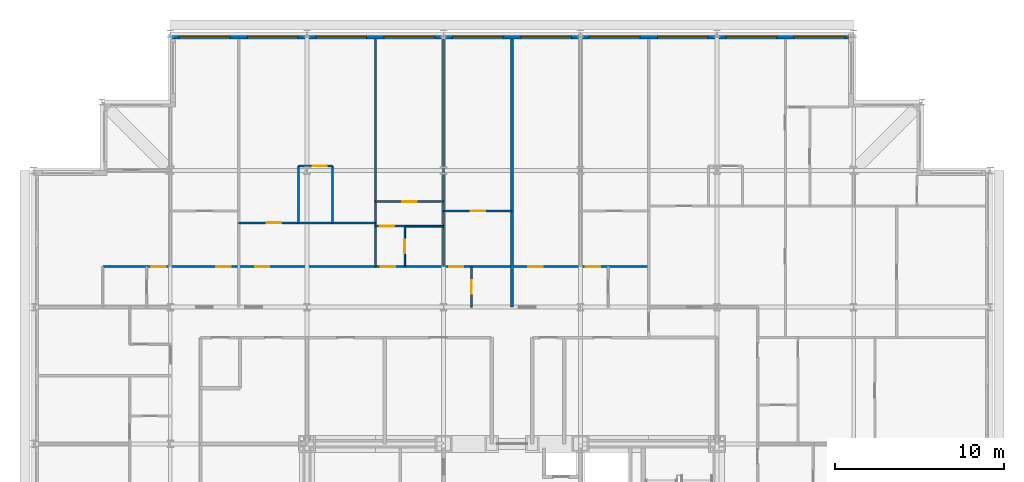
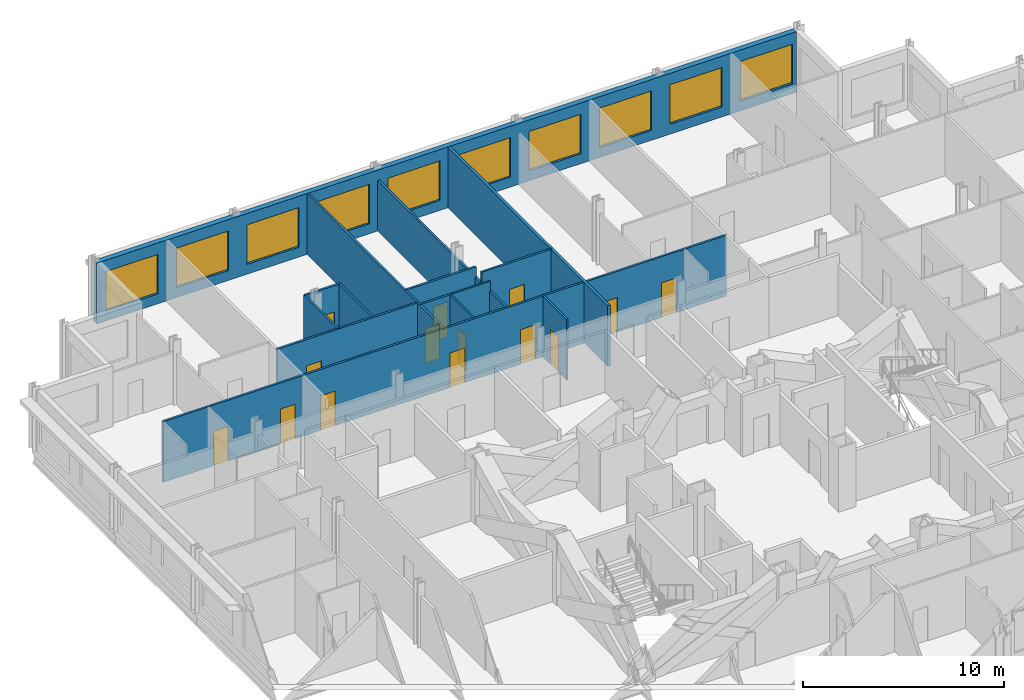
# One storey, part 13 of 16: 15 walls, 14 doors, 10 windows, 24 openings.
"""IFC4 building model written with IfcOpenShell, lengths in metres."""

import ifcopenshell
import ifcopenshell.guid

model = None  # the IFC model being written
_history = None  # IfcOwnerHistory: only IFC2X3 demands one
_inside = {}  # id of a spatial element -> (the spatial element, [elements in it])
_under = {}  # id of a project, library or spatial element -> (it, [spatial elements below it])
_declared = {}  # id of a project -> (the project, [libraries it declares])
_typed = {}  # id of a type object -> (the type object, [elements of that type])
_made_of = {}  # id of a material, layer set ... -> (it, [elements and type objects made of it])


def new_model(schema):
    """Start an empty IFC model of exactly this schema.

    Asked for "IFC4X3", IfcOpenShell would pick the latest addendum, in which some entities
    have other attributes; the version numbers below select the first issue.
    IFC2X3 requires an IfcOwnerHistory on every rooted entity: one is made here for all.
    """
    global model, _history
    if schema == "IFC4X3":
        model = ifcopenshell.file(schema_version=(4, 3, 0, 0))
    else:
        model = ifcopenshell.file(schema=schema)
    _inside.clear()
    _under.clear()
    _declared.clear()
    _typed.clear()
    _made_of.clear()
    _history = None
    if model.schema == "IFC2X3":
        org = make("IfcOrganization", Name="unknown")
        user = make(
            "IfcPersonAndOrganization",
            ThePerson=make("IfcPerson", FamilyName="unknown"),
            TheOrganization=org,
        )
        app = make(
            "IfcApplication",
            ApplicationDeveloper=org,
            Version="unknown",
            ApplicationFullName="unknown",
            ApplicationIdentifier="unknown",
        )
        _history = make(
            "IfcOwnerHistory",
            OwningUser=user,
            OwningApplication=app,
            ChangeAction="ADDED",
            CreationDate=0,
        )
    return model


def make(cls, **values):
    """One entity of the class cls with the attributes given. An attribute that is None is left unset."""
    return model.create_entity(
        cls, **{name: value for name, value in values.items() if value is not None}
    )


def rooted(cls, **values):
    """An entity with a GlobalId (a new one), such as an element, a storey or a relation."""
    return make(cls, GlobalId=ifcopenshell.guid.new(), OwnerHistory=_history, **values)


def si_unit(unit_type, name, prefix=None):
    """IfcSIUnit, for example si_unit("LENGTHUNIT", "METRE", prefix="MILLI")."""
    return make("IfcSIUnit", UnitType=unit_type, Prefix=prefix, Name=name)


def assignment(units):
    """IfcUnitAssignment: the units of a project."""
    return None if units is None else make("IfcUnitAssignment", Units=units)


def point(xyz):
    """IfcCartesianPoint."""
    return None if xyz is None else make("IfcCartesianPoint", Coordinates=xyz)


def direction(xyz):
    """IfcDirection."""
    return None if xyz is None else make("IfcDirection", DirectionRatios=xyz)


def frame(location, z_axis=None, x_axis=None):
    """IfcAxis2Placement3D, a coordinate frame: its origin and axes. An axis left out is left unset."""
    return make(
        "IfcAxis2Placement3D",
        Location=point(location),
        Axis=direction(z_axis),
        RefDirection=direction(x_axis),
    )


def frame_2d(location, x_axis=None):
    """IfcAxis2Placement2D, a coordinate frame in the plane: its origin and x axis."""
    return make(
        "IfcAxis2Placement2D", Location=point(location), RefDirection=direction(x_axis)
    )


def origin():
    """The frame at (0, 0, 0) with its axes left unset."""
    return frame((0.0, 0.0, 0.0))


def place(relative_to, where):
    """IfcLocalPlacement: puts the frame where relative to a parent placement (None: the world)."""
    return make(
        "IfcLocalPlacement", PlacementRelTo=relative_to, RelativePlacement=where
    )


def context(
    kind, dimensions, precision=None, world=None, true_north=None, identifier=None
):
    """IfcGeometricRepresentationContext, for example the 3D "Model" context."""
    return make(
        "IfcGeometricRepresentationContext",
        ContextIdentifier=identifier,
        ContextType=kind,
        CoordinateSpaceDimension=dimensions,
        Precision=precision,
        WorldCoordinateSystem=world,
        TrueNorth=true_north,
    )


def subcontext(parent, identifier, kind, view, scale=None):
    """IfcGeometricRepresentationSubContext, for example "Body" below "Model"."""
    return make(
        "IfcGeometricRepresentationSubContext",
        ContextIdentifier=identifier,
        ContextType=kind,
        ParentContext=parent,
        TargetScale=scale,
        TargetView=view,
    )


def project(units=None, contexts=None):
    """IfcProject with its units and contexts."""
    return rooted(
        "IfcProject",
        Name="project",
        RepresentationContexts=contexts,
        UnitsInContext=assignment(units),
    )


def spatial(cls, under=None, at=None, **own):
    """A site, building, storey or space (cls), placed at a placement, below another one or the project."""
    s = rooted(cls, ObjectPlacement=at, **own)
    if under is not None:
        _under.setdefault(under.id(), (under, []))[1].append(s)
    return s


def profile(cls, at=None, kind="AREA", **sizes):
    """A parametric profile (cls). Its sizes go by their IFC names, for example OverallWidth=200.0."""
    return make(cls, ProfileType=kind, Position=at, **sizes)


def rectangle(**sizes):
    """IfcRectangleProfileDef."""
    return profile("IfcRectangleProfileDef", **sizes)


def extrude(swept, where, along, depth):
    """IfcExtrudedAreaSolid: the profile swept, set in the frame where, extruded along a direction by depth."""
    return make(
        "IfcExtrudedAreaSolid",
        SweptArea=swept,
        Position=where,
        ExtrudedDirection=direction(along),
        Depth=depth,
    )


def shape(context_of_items, identifier, shape_type, items):
    """IfcShapeRepresentation: the items that make up one representation, for example the "Body"."""
    return make(
        "IfcShapeRepresentation",
        ContextOfItems=context_of_items,
        RepresentationIdentifier=identifier,
        RepresentationType=shape_type,
        Items=items,
    )


def material(Name=None, Category=None):
    """IfcMaterial."""
    return make("IfcMaterial", Name=Name, Category=Category)


def layer(
    of_material, thickness, ventilated=None, Name=None, Category=None, Priority=None
):
    """IfcMaterialLayer: one layer of a wall or slab, of a material (None: an air gap)."""
    return make(
        "IfcMaterialLayer",
        Material=of_material,
        LayerThickness=thickness,
        IsVentilated=ventilated,
        Name=Name,
        Category=Category,
        Priority=Priority,
    )


def layer_set(layers, Name=None):
    """IfcMaterialLayerSet."""
    return make("IfcMaterialLayerSet", MaterialLayers=layers, LayerSetName=Name)


def made_of(thing, what):
    """Note that an element or type object is made of a material, layer set ...; save() writes the relation."""
    if what is not None:
        _made_of.setdefault(what.id(), (what, []))[1].append(thing)
    return thing


def type_object(cls, material=None, **own):
    """A type object (cls), such as IfcWallType, which elements share."""
    return made_of(rooted(cls, **own), material)


def element(
    cls,
    number,
    at=None,
    inside=None,
    cuts=None,
    type_object=None,
    material=None,
    context=None,
    identifier="Body",
    shape_type=None,
    held_by="IfcProductDefinitionShape",
    body=None,
    shapes=None,
    **own,
):
    """One element of the class cls, such as IfcWall. Its Tag is "e" and its number.

    at: its placement. inside: the storey or other place that contains it. cuts: it is an
    opening in that element (IfcRelVoidsElement). A single representation is given by context,
    identifier, shape_type and body (its items); several are given by shapes. held_by: the class
    of the entity that holds the representations. save() writes the other relations.
    """
    e = rooted(cls, Tag="e%d" % number, ObjectPlacement=at, **own)
    if body is not None:
        shapes = [shape(context, identifier, shape_type, body)]
    if shapes is not None:
        e.Representation = make(held_by, Representations=shapes)
    if inside is not None:
        _inside.setdefault(inside.id(), (inside, []))[1].append(e)
    if cuts is not None:
        rooted(
            "IfcRelVoidsElement", RelatingBuildingElement=cuts, RelatedOpeningElement=e
        )
    if type_object is not None:
        _typed.setdefault(type_object.id(), (type_object, []))[1].append(e)
    return made_of(e, material)


def fill(opening, filler):
    """IfcRelFillsElement: the door or window that sits in an opening."""
    return rooted(
        "IfcRelFillsElement",
        RelatingOpeningElement=opening,
        RelatedBuildingElement=filler,
    )


def aggregate(whole, parts):
    """IfcRelAggregates: a whole, such as a stair, and the parts it consists of."""
    return rooted("IfcRelAggregates", RelatingObject=whole, RelatedObjects=parts)


def save(model, path):
    """Write the relations noted so far, then the file.

    IfcRelAggregates (storeys below a building ...), IfcRelContainedInSpatialStructure (elements
    in a storey), IfcRelDefinesByType, IfcRelAssociatesMaterial and IfcRelDeclares: one each for
    every whole, place, type object, material and project.
    """
    for whole, parts in _under.values():
        aggregate(whole, parts)
    for where, things in _inside.values():
        rooted(
            "IfcRelContainedInSpatialStructure",
            RelatedElements=things,
            RelatingStructure=where,
        )
    for kind, things in _typed.values():
        rooted("IfcRelDefinesByType", RelatedObjects=things, RelatingType=kind)
    for what, things in _made_of.values():
        rooted("IfcRelAssociatesMaterial", RelatedObjects=things, RelatingMaterial=what)
    for by, libraries in _declared.values():
        rooted("IfcRelDeclares", RelatingContext=by, RelatedDefinitions=libraries)
    model.write(path)


model = new_model("IFC4")

# Units and contexts
model_context = context("Model", 3, precision=1e-05, world=origin(), true_north=direction((0.0, 1.0)))
body_context = subcontext(model_context, "Body", "Model", "MODEL_VIEW")
ifc_project = project(units=[si_unit("LENGTHUNIT", "METRE"), si_unit("AREAUNIT", "SQUARE_METRE"), si_unit("VOLUMEUNIT", "CUBIC_METRE"), si_unit("PLANEANGLEUNIT", "RADIAN"), si_unit("MASSUNIT", "GRAM", prefix="KILO")], contexts=[model_context])

# Site, building, storey
site_placement = place(None, origin())
site = spatial("IfcSite", under=ifc_project, at=site_placement, CompositionType="ELEMENT")
building_placement = place(site_placement, origin())
building = spatial("IfcBuilding", under=site, at=building_placement, Name="Kopane Lantern Tower", CompositionType="ELEMENT")
storey_placement = place(building_placement, frame((0.0, 0.0, 261.89990234375)))
storey = spatial("IfcBuildingStorey", under=building, at=storey_placement, Name="L67", CompositionType="ELEMENT", Elevation=261.89990234375)

# Walls
ifc_material_1 = material(Name="Gypsum board on steel studs", Category="steel")
ifc_layer_1 = layer(ifc_material_1, 0.1201171875)
ifc_layer_set_1 = layer_set([ifc_layer_1], Name="APARTMENT INTERNAL WALL 120")
wall_type_1 = type_object("IfcWallType", Name="APARTMENT INTERNAL WALL 120", PredefinedType="PARTITIONING", material=ifc_layer_set_1)
wall_1_placement = place(storey_placement, frame((20.25, 51.0, 0.0), z_axis=(0.0, 0.0, 1.0), x_axis=(0.0, 1.0, 0.0)))
element("IfcWall", 1, at=wall_1_placement, inside=storey, type_object=wall_type_1, Name="Apartment Internal Wall 120 L67", PredefinedType="PARTITIONING", context=body_context, shape_type="SweptSolid", body=[
    extrude(rectangle(XDim=13.5, YDim=0.1201171875, at=frame_2d((6.75, 0.0))), origin(), (0.0, 0.0, 1.0), 3.690185546875),
])
wall_2_placement = place(storey_placement, frame((24.300048828125, 51.0, 0.0), z_axis=(0.0, 0.0, 1.0), x_axis=(0.0, 1.0, 0.0)))
element("IfcWall", 2, at=wall_2_placement, inside=storey, type_object=wall_type_1, Name="Apartment Internal Wall 120 L67", PredefinedType="PARTITIONING", context=body_context, shape_type="SweptSolid", body=[
    extrude(rectangle(XDim=13.5, YDim=0.1201171875, at=frame_2d((6.75, 0.0))), origin(), (0.0, 0.0, 1.0), 3.077880859375),
])

# Wall, openings, doors
wall_3_placement = place(storey_placement, frame((4.10009765625, 51.0, 0.0), z_axis=(0.0, 0.0, 1.0), x_axis=(1.0, 0.0, 0.0)))
wall_3 = element("IfcWall", 3, at=wall_3_placement, inside=storey, type_object=wall_type_1, Name="Apartment Internal Wall 120 L67", PredefinedType="PARTITIONING", context=body_context, shape_type="SweptSolid", body=[
    extrude(rectangle(XDim=32.349853515625, YDim=0.1201171875, at=frame_2d((16.1748046875, 0.0))), origin(), (0.0, 0.0, 1.0), 3.690185546875),
])
opening_1_placement = place(wall_3_placement, frame((9.02490234375, 0.0, 0.0)))
opening_1 = element("IfcOpeningElement", 4, at=opening_1_placement, cuts=wall_3, Name="Opening L67-023", PredefinedType="OPENING", context=body_context, shape_type="SweptSolid", body=[
    extrude(rectangle(XDim=0.85009765625, YDim=2.10009765625, at=frame_2d((0.425048828125, 1.050048828125))), frame((0.0, 0.070068359375, 0.0), z_axis=(0.0, -1.0, 0.0), x_axis=(1.0, 0.0, 0.0)), (0.0, 0.0, 1.0), 0.14013671875),
])
opening_2_placement = place(wall_3_placement, frame((16.47509765625, 0.0, 0.0)))
opening_2 = element("IfcOpeningElement", 5, at=opening_2_placement, cuts=wall_3, Name="Opening L67-025", PredefinedType="OPENING", context=body_context, shape_type="SweptSolid", body=[
    extrude(rectangle(XDim=0.85009765625, YDim=2.10009765625, at=frame_2d((0.425048828125, 1.050048828125))), frame((0.0, 0.070068359375, 0.0), z_axis=(0.0, -1.0, 0.0), x_axis=(1.0, 0.0, 0.0)), (0.0, 0.0, 1.0), 0.14013671875),
])
opening_3_placement = place(wall_3_placement, frame((20.52490234375, 0.0, 0.0)))
opening_3 = element("IfcOpeningElement", 6, at=opening_3_placement, cuts=wall_3, Name="Opening L67-026", PredefinedType="OPENING", context=body_context, shape_type="SweptSolid", body=[
    extrude(rectangle(XDim=0.85009765625, YDim=2.10009765625, at=frame_2d((0.425048828125, 1.050048828125))), frame((0.0, 0.070068359375, 0.0), z_axis=(0.0, -1.0, 0.0), x_axis=(1.0, 0.0, 0.0)), (0.0, 0.0, 1.0), 0.14013671875),
])
opening_4_placement = place(wall_3_placement, frame((25.22509765625, 0.0, 0.0)))
opening_4 = element("IfcOpeningElement", 7, at=opening_4_placement, cuts=wall_3, Name="Opening L67-029", PredefinedType="OPENING", context=body_context, shape_type="SweptSolid", body=[
    extrude(rectangle(XDim=0.85009765625, YDim=2.10009765625, at=frame_2d((0.425048828125, 1.050048828125))), frame((0.0, 0.070068359375, 0.0), z_axis=(0.0, -1.0, 0.0), x_axis=(1.0, 0.0, 0.0)), (0.0, 0.0, 1.0), 0.14013671875),
])
opening_5_placement = place(wall_3_placement, frame((28.625, 0.0, 0.0)))
opening_5 = element("IfcOpeningElement", 8, at=opening_5_placement, cuts=wall_3, Name="Opening L67-030", PredefinedType="OPENING", context=body_context, shape_type="SweptSolid", body=[
    extrude(rectangle(XDim=0.85009765625, YDim=2.10009765625, at=frame_2d((0.425048828125, 1.050048828125))), frame((0.0, 0.070068359375, 0.0), z_axis=(0.0, -1.0, 0.0), x_axis=(1.0, 0.0, 0.0)), (0.0, 0.0, 1.0), 0.14013671875),
])
opening_6_placement = place(wall_3_placement, frame((6.72509765625, 0.0, 0.0)))
opening_6 = element("IfcOpeningElement", 9, at=opening_6_placement, cuts=wall_3, Name="Opening L67-044", PredefinedType="OPENING", context=body_context, shape_type="SweptSolid", body=[
    extrude(rectangle(XDim=0.85009765625, YDim=2.10009765625, at=frame_2d((0.425048828125, 1.050048828125))), frame((0.0, 0.070068359375, 0.0), z_axis=(0.0, -1.0, 0.0), x_axis=(1.0, 0.0, 0.0)), (0.0, 0.0, 1.0), 0.14013671875),
])
opening_7_placement = place(wall_3_placement, frame((2.875, 0.0, 0.0)))
opening_7 = element("IfcOpeningElement", 10, at=opening_7_placement, cuts=wall_3, Name="Opening L67-046", PredefinedType="OPENING", context=body_context, shape_type="SweptSolid", body=[
    extrude(rectangle(XDim=0.85009765625, YDim=2.10009765625, at=frame_2d((0.425048828125, 1.050048828125))), frame((0.0, 0.070068359375, 0.0), z_axis=(0.0, -1.0, 0.0), x_axis=(1.0, 0.0, 0.0)), (0.0, 0.0, 1.0), 0.14013671875),
])
ifc_material_2 = material(Name="Timber door set", Category="wood")
door_type_1 = type_object("IfcDoorType", Name="DOOR D4 850x2100", OperationType="SINGLE_SWING_LEFT", PredefinedType="DOOR", material=ifc_material_2)
door_1_placement = place(opening_1_placement, origin())
door_1 = element("IfcDoor", 11, at=door_1_placement, inside=storey, type_object=door_type_1, Name="Door L67-023", OperationType="SINGLE_SWING_LEFT", OverallHeight=2.10009765625, OverallWidth=0.85009765625, PredefinedType="DOOR", context=body_context, shape_type="SweptSolid", body=[
    extrude(rectangle(XDim=0.85009765625, YDim=2.10009765625, at=frame_2d((0.425048828125, 1.050048828125))), frame((0.0, 0.02490234375, 0.0), z_axis=(0.0, -1.0, 0.0), x_axis=(1.0, 0.0, 0.0)), (0.0, 0.0, 1.0), 0.050048828125),
])
fill(opening_1, door_1)
door_2_placement = place(opening_2_placement, origin())
door_2 = element("IfcDoor", 12, at=door_2_placement, inside=storey, type_object=door_type_1, Name="Door L67-025", OperationType="SINGLE_SWING_LEFT", OverallHeight=2.10009765625, OverallWidth=0.85009765625, PredefinedType="DOOR", context=body_context, shape_type="SweptSolid", body=[
    extrude(rectangle(XDim=0.85009765625, YDim=2.10009765625, at=frame_2d((0.425048828125, 1.050048828125))), frame((0.0, 0.02490234375, 0.0), z_axis=(0.0, -1.0, 0.0), x_axis=(1.0, 0.0, 0.0)), (0.0, 0.0, 1.0), 0.050048828125),
])
fill(opening_2, door_2)
door_3_placement = place(opening_3_placement, origin())
door_3 = element("IfcDoor", 13, at=door_3_placement, inside=storey, type_object=door_type_1, Name="Door L67-026", OperationType="SINGLE_SWING_LEFT", OverallHeight=2.10009765625, OverallWidth=0.85009765625, PredefinedType="DOOR", context=body_context, shape_type="SweptSolid", body=[
    extrude(rectangle(XDim=0.85009765625, YDim=2.10009765625, at=frame_2d((0.425048828125, 1.050048828125))), frame((0.0, 0.02490234375, 0.0), z_axis=(0.0, -1.0, 0.0), x_axis=(1.0, 0.0, 0.0)), (0.0, 0.0, 1.0), 0.050048828125),
])
fill(opening_3, door_3)
door_4_placement = place(opening_4_placement, origin())
door_4 = element("IfcDoor", 14, at=door_4_placement, inside=storey, type_object=door_type_1, Name="Door L67-029", OperationType="SINGLE_SWING_RIGHT", OverallHeight=2.10009765625, OverallWidth=0.85009765625, PredefinedType="DOOR", context=body_context, shape_type="SweptSolid", body=[
    extrude(rectangle(XDim=0.85009765625, YDim=2.10009765625, at=frame_2d((0.425048828125, 1.050048828125))), frame((0.0, 0.02490234375, 0.0), z_axis=(0.0, -1.0, 0.0), x_axis=(1.0, 0.0, 0.0)), (0.0, 0.0, 1.0), 0.050048828125),
])
fill(opening_4, door_4)
door_5_placement = place(opening_5_placement, origin())
door_5 = element("IfcDoor", 15, at=door_5_placement, inside=storey, type_object=door_type_1, Name="Door L67-030", OperationType="SINGLE_SWING_LEFT", OverallHeight=2.10009765625, OverallWidth=0.85009765625, PredefinedType="DOOR", context=body_context, shape_type="SweptSolid", body=[
    extrude(rectangle(XDim=0.85009765625, YDim=2.10009765625, at=frame_2d((0.425048828125, 1.050048828125))), frame((0.0, 0.02490234375, 0.0), z_axis=(0.0, -1.0, 0.0), x_axis=(1.0, 0.0, 0.0)), (0.0, 0.0, 1.0), 0.050048828125),
])
fill(opening_5, door_5)
door_6_placement = place(opening_6_placement, origin())
door_6 = element("IfcDoor", 16, at=door_6_placement, inside=storey, type_object=door_type_1, Name="Door L67-044", OperationType="SINGLE_SWING_LEFT", OverallHeight=2.10009765625, OverallWidth=0.85009765625, PredefinedType="DOOR", context=body_context, shape_type="SweptSolid", body=[
    extrude(rectangle(XDim=0.85009765625, YDim=2.10009765625, at=frame_2d((0.425048828125, 1.050048828125))), frame((0.0, 0.02490234375, 0.0), z_axis=(0.0, -1.0, 0.0), x_axis=(1.0, 0.0, 0.0)), (0.0, 0.0, 1.0), 0.050048828125),
])
fill(opening_6, door_6)
door_7_placement = place(opening_7_placement, origin())
door_7 = element("IfcDoor", 17, at=door_7_placement, inside=storey, type_object=door_type_1, Name="Door L67-046", OperationType="SINGLE_SWING_RIGHT", OverallHeight=2.10009765625, OverallWidth=0.85009765625, PredefinedType="DOOR", context=body_context, shape_type="SweptSolid", body=[
    extrude(rectangle(XDim=0.85009765625, YDim=2.10009765625, at=frame_2d((0.425048828125, 1.050048828125))), frame((0.0, 0.02490234375, 0.0), z_axis=(0.0, -1.0, 0.0), x_axis=(1.0, 0.0, 0.0)), (0.0, 0.0, 1.0), 0.050048828125),
])
fill(opening_7, door_7)

# Wall, opening, door
wall_4_placement = place(storey_placement, frame((20.25, 53.39990234375, 0.0), z_axis=(0.0, 0.0, 1.0), x_axis=(1.0, 0.0, 0.0)))
wall_4 = element("IfcWall", 18, at=wall_4_placement, inside=storey, type_object=wall_type_1, Name="Apartment Internal Wall 120 L67", PredefinedType="PARTITIONING", context=body_context, shape_type="SweptSolid", body=[
    extrude(rectangle(XDim=1.760009765625, YDim=0.1201171875, at=frame_2d((0.8798828125, 0.0))), origin(), (0.0, 0.0, 1.0), 3.690185546875),
])
opening_8_placement = place(wall_4_placement, frame((0.27490234375, 0.0, 0.0)))
opening_8 = element("IfcOpeningElement", 19, at=opening_8_placement, cuts=wall_4, Name="Opening L67-065", PredefinedType="OPENING", context=body_context, shape_type="SweptSolid", body=[
    extrude(rectangle(XDim=0.85009765625, YDim=2.10009765625, at=frame_2d((0.425048828125, 1.050048828125))), frame((0.0, 0.070068359375, 0.0), z_axis=(0.0, -1.0, 0.0), x_axis=(1.0, 0.0, 0.0)), (0.0, 0.0, 1.0), 0.14013671875),
])
door_8_placement = place(opening_8_placement, origin())
door_8 = element("IfcDoor", 20, at=door_8_placement, inside=storey, type_object=door_type_1, Name="Door L67-065", OperationType="SINGLE_SWING_LEFT", OverallHeight=2.10009765625, OverallWidth=0.85009765625, PredefinedType="DOOR", context=body_context, shape_type="SweptSolid", body=[
    extrude(rectangle(XDim=0.85009765625, YDim=2.10009765625, at=frame_2d((0.425048828125, 1.050048828125))), frame((0.0, 0.02490234375, 0.0), z_axis=(0.0, -1.0, 0.0), x_axis=(1.0, 0.0, 0.0)), (0.0, 0.0, 1.0), 0.050048828125),
])
fill(opening_8, door_8)

wall_5_placement = place(storey_placement, frame((12.14990234375, 53.60009765625, 0.0), z_axis=(0.0, 0.0, 1.0), x_axis=(1.0, 0.0, 0.0)))
wall_5 = element("IfcWall", 21, at=wall_5_placement, inside=storey, type_object=wall_type_1, Name="Apartment Internal Wall 120 L67", PredefinedType="PARTITIONING", context=body_context, shape_type="SweptSolid", body=[
    extrude(rectangle(XDim=8.10009765625, YDim=0.1201171875, at=frame_2d((4.050048828125, 0.0))), origin(), (0.0, 0.0, 1.0), 3.690185546875),
])
opening_9_placement = place(wall_5_placement, frame((1.675048828125, 0.0, 0.0)))
opening_9 = element("IfcOpeningElement", 22, at=opening_9_placement, cuts=wall_5, Name="Opening L67-071", PredefinedType="OPENING", context=body_context, shape_type="SweptSolid", body=[
    extrude(rectangle(XDim=0.85009765625, YDim=2.10009765625, at=frame_2d((0.425048828125, 1.050048828125))), frame((0.0, 0.070068359375, 0.0), z_axis=(0.0, -1.0, 0.0), x_axis=(1.0, 0.0, 0.0)), (0.0, 0.0, 1.0), 0.14013671875),
])
door_9_placement = place(opening_9_placement, origin())
door_9 = element("IfcDoor", 23, at=door_9_placement, inside=storey, type_object=door_type_1, Name="Door L67-071", OperationType="SINGLE_SWING_RIGHT", OverallHeight=2.10009765625, OverallWidth=0.85009765625, PredefinedType="DOOR", context=body_context, shape_type="SweptSolid", body=[
    extrude(rectangle(XDim=0.85009765625, YDim=2.10009765625, at=frame_2d((0.425048828125, 1.050048828125))), frame((0.0, 0.02490234375, 0.0), z_axis=(0.0, -1.0, 0.0), x_axis=(1.0, 0.0, 0.0)), (0.0, 0.0, 1.0), 0.050048828125),
])
fill(opening_9, door_9)

wall_6_placement = place(storey_placement, frame((20.25, 54.85009765625, 0.0), z_axis=(0.0, 0.0, 1.0), x_axis=(1.0, 0.0, 0.0)))
wall_6 = element("IfcWall", 24, at=wall_6_placement, inside=storey, type_object=wall_type_1, Name="Apartment Internal Wall 120 L67", PredefinedType="PARTITIONING", context=body_context, shape_type="SweptSolid", body=[
    extrude(rectangle(XDim=4.050048828125, YDim=0.1201171875, at=frame_2d((2.02490234375, 0.0))), origin(), (0.0, 0.0, 1.0), 3.690185546875),
])
opening_10_placement = place(wall_6_placement, frame((1.60009765625, 0.0, 0.0)))
opening_10 = element("IfcOpeningElement", 25, at=opening_10_placement, cuts=wall_6, Name="Opening L67-072", PredefinedType="OPENING", context=body_context, shape_type="SweptSolid", body=[
    extrude(rectangle(XDim=0.85009765625, YDim=2.10009765625, at=frame_2d((0.425048828125, 1.050048828125))), frame((0.0, 0.070068359375, 0.0), z_axis=(0.0, -1.0, 0.0), x_axis=(1.0, 0.0, 0.0)), (0.0, 0.0, 1.0), 0.14013671875),
])
door_10_placement = place(opening_10_placement, origin())
door_10 = element("IfcDoor", 26, at=door_10_placement, inside=storey, type_object=door_type_1, Name="Door L67-072", OperationType="SINGLE_SWING_RIGHT", OverallHeight=2.10009765625, OverallWidth=0.85009765625, PredefinedType="DOOR", context=body_context, shape_type="SweptSolid", body=[
    extrude(rectangle(XDim=0.85009765625, YDim=2.10009765625, at=frame_2d((0.425048828125, 1.050048828125))), frame((0.0, 0.02490234375, 0.0), z_axis=(0.0, -1.0, 0.0), x_axis=(1.0, 0.0, 0.0)), (0.0, 0.0, 1.0), 0.050048828125),
])
fill(opening_10, door_10)

wall_7_placement = place(storey_placement, frame((24.300048828125, 54.300048828125, 0.0), z_axis=(0.0, 0.0, 1.0), x_axis=(1.0, 0.0, 0.0)))
wall_7 = element("IfcWall", 27, at=wall_7_placement, inside=storey, type_object=wall_type_1, Name="Apartment Internal Wall 120 L67", PredefinedType="PARTITIONING", context=body_context, shape_type="SweptSolid", body=[
    extrude(rectangle(XDim=4.050048828125, YDim=0.1201171875, at=frame_2d((2.02490234375, 0.0))), origin(), (0.0, 0.0, 1.0), 3.690185546875),
])
opening_11_placement = place(wall_7_placement, frame((1.60009765625, 0.0, 0.0)))
opening_11 = element("IfcOpeningElement", 28, at=opening_11_placement, cuts=wall_7, Name="Opening L67-073", PredefinedType="OPENING", context=body_context, shape_type="SweptSolid", body=[
    extrude(rectangle(XDim=0.85009765625, YDim=2.10009765625, at=frame_2d((0.425048828125, 1.050048828125))), frame((0.0, 0.070068359375, 0.0), z_axis=(0.0, -1.0, 0.0), x_axis=(1.0, 0.0, 0.0)), (0.0, 0.0, 1.0), 0.14013671875),
])
door_11_placement = place(opening_11_placement, origin())
door_11 = element("IfcDoor", 29, at=door_11_placement, inside=storey, type_object=door_type_1, Name="Door L67-073", OperationType="SINGLE_SWING_RIGHT", OverallHeight=2.10009765625, OverallWidth=0.85009765625, PredefinedType="DOOR", context=body_context, shape_type="SweptSolid", body=[
    extrude(rectangle(XDim=0.85009765625, YDim=2.10009765625, at=frame_2d((0.425048828125, 1.050048828125))), frame((0.0, 0.02490234375, 0.0), z_axis=(0.0, -1.0, 0.0), x_axis=(1.0, 0.0, 0.0)), (0.0, 0.0, 1.0), 0.050048828125),
])
fill(opening_11, door_11)

# Walls
for number, where, z_axis, x_axis, name in (
    (30, (15.697021484375, 53.60009765625, 0.0), (0.0, 0.0, 1.0), (0.0, 1.0, 0.0), "Apartment Internal Wall 120 L67"),
    (31, (17.702880859375, 53.60009765625, 0.0), (0.0, 0.0, 1.0), (0.0, 1.0, 0.0), "Apartment Internal Wall 120 L67"),
):
    element("IfcWall", number, at=place(storey_placement, frame(where, z_axis=z_axis, x_axis=x_axis)), inside=storey, type_object=wall_type_1, Name=name, PredefinedType="PARTITIONING", context=body_context, shape_type="SweptSolid", body=[
        extrude(rectangle(XDim=3.36279296875, YDim=0.1201171875, at=frame_2d((1.681396484375, 0.0))), origin(), (0.0, 0.0, 1.0), 3.690185546875),
    ])

# Wall, opening, door
wall_8_placement = place(storey_placement, frame((15.697021484375, 56.962890625, 0.0), z_axis=(0.0, 0.0, 1.0), x_axis=(1.0, 0.0, 0.0)))
wall_8 = element("IfcWall", 32, at=wall_8_placement, inside=storey, type_object=wall_type_1, Name="Apartment Internal Wall 120 L67", PredefinedType="PARTITIONING", context=body_context, shape_type="SweptSolid", body=[
    extrude(rectangle(XDim=2.005859375, YDim=0.1201171875, at=frame_2d((1.0029296875, 0.0))), origin(), (0.0, 0.0, 1.0), 3.690185546875),
])
opening_12_placement = place(wall_8_placement, frame((0.8310546875, 0.0, 0.0)))
opening_12 = element("IfcOpeningElement", 33, at=opening_12_placement, cuts=wall_8, Name="Opening L67-084", PredefinedType="OPENING", context=body_context, shape_type="SweptSolid", body=[
    extrude(rectangle(XDim=0.85009765625, YDim=2.10009765625, at=frame_2d((0.425048828125, 1.050048828125))), frame((0.0, 0.070068359375, 0.0), z_axis=(0.0, -1.0, 0.0), x_axis=(1.0, 0.0, 0.0)), (0.0, 0.0, 1.0), 0.14013671875),
])
door_12_placement = place(opening_12_placement, origin())
door_12 = element("IfcDoor", 34, at=door_12_placement, inside=storey, type_object=door_type_1, Name="Door L67-084", OperationType="SINGLE_SWING_LEFT", OverallHeight=2.10009765625, OverallWidth=0.85009765625, PredefinedType="DOOR", context=body_context, shape_type="SweptSolid", body=[
    extrude(rectangle(XDim=0.85009765625, YDim=2.10009765625, at=frame_2d((0.425048828125, 1.050048828125))), frame((0.0, 0.02490234375, 0.0), z_axis=(0.0, -1.0, 0.0), x_axis=(1.0, 0.0, 0.0)), (0.0, 0.0, 1.0), 0.050048828125),
])
fill(opening_12, door_12)

ifc_material_3 = material(Name="Moisture-resistant board on steel studs", Category="steel")
ifc_layer_2 = layer(ifc_material_3, 0.10009765625)
ifc_layer_set_2 = layer_set([ifc_layer_2], Name="BATHROOM WALL 100")
wall_type_2 = type_object("IfcWallType", Name="BATHROOM WALL 100", PredefinedType="PARTITIONING", material=ifc_layer_set_2)
wall_9_placement = place(storey_placement, frame((25.949951171875, 48.60009765625, 0.0), z_axis=(0.0, 0.0, 1.0), x_axis=(0.0, 1.0, 0.0)))
wall_9 = element("IfcWall", 35, at=wall_9_placement, inside=storey, type_object=wall_type_2, Name="Bathroom Wall 100 L67", PredefinedType="PARTITIONING", context=body_context, shape_type="SweptSolid", body=[
    extrude(rectangle(XDim=2.39990234375, YDim=0.10009765625, at=frame_2d((1.199951171875, 0.0))), origin(), (0.0, 0.0, 1.0), 3.690185546875),
])
opening_13_placement = place(wall_9_placement, frame((0.800048828125, 0.0, 0.0)))
opening_13 = element("IfcOpeningElement", 36, at=opening_13_placement, cuts=wall_9, Name="Opening L67-021", PredefinedType="OPENING", context=body_context, shape_type="SweptSolid", body=[
    extrude(rectangle(XDim=0.800048828125, YDim=2.10009765625, at=frame_2d((0.39990234375, 1.050048828125))), frame((0.0, 0.06005859375, 0.0), z_axis=(0.0, -1.0, 0.0), x_axis=(1.0, 0.0, 0.0)), (0.0, 0.0, 1.0), 0.1201171875),
])
ifc_material_4 = material(Name="Timber door set", Category="wood")
door_type_2 = type_object("IfcDoorType", Name="DOOR D2 800x2100", OperationType="SINGLE_SWING_LEFT", PredefinedType="DOOR", material=ifc_material_4)
door_13_placement = place(opening_13_placement, origin())
door_13 = element("IfcDoor", 37, at=door_13_placement, inside=storey, type_object=door_type_2, Name="Door L67-021", OperationType="SINGLE_SWING_RIGHT", OverallHeight=2.10009765625, OverallWidth=0.800048828125, PredefinedType="DOOR", context=body_context, shape_type="SweptSolid", body=[
    extrude(rectangle(XDim=0.800048828125, YDim=2.10009765625, at=frame_2d((0.39990234375, 1.050048828125))), frame((0.0, 0.02490234375, 0.0), z_axis=(0.0, -1.0, 0.0), x_axis=(1.0, 0.0, 0.0)), (0.0, 0.0, 1.0), 0.050048828125),
])
fill(opening_13, door_13)

wall_10_placement = place(storey_placement, frame((22.0, 51.0, 0.0), z_axis=(0.0, 0.0, 1.0), x_axis=(0.0, 1.0, 0.0)))
wall_10 = element("IfcWall", 38, at=wall_10_placement, inside=storey, type_object=wall_type_2, Name="Bathroom Wall 100 L67", PredefinedType="PARTITIONING", context=body_context, shape_type="SweptSolid", body=[
    extrude(rectangle(XDim=2.39990234375, YDim=0.10009765625, at=frame_2d((1.199951171875, 0.0))), origin(), (0.0, 0.0, 1.0), 3.690185546875),
])
opening_14_placement = place(wall_10_placement, frame((0.800048828125, 0.0, 0.0)))
opening_14 = element("IfcOpeningElement", 39, at=opening_14_placement, cuts=wall_10, Name="Opening L67-024", PredefinedType="OPENING", context=body_context, shape_type="SweptSolid", body=[
    extrude(rectangle(XDim=0.800048828125, YDim=2.10009765625, at=frame_2d((0.39990234375, 1.050048828125))), frame((0.0, 0.06005859375, 0.0), z_axis=(0.0, -1.0, 0.0), x_axis=(1.0, 0.0, 0.0)), (0.0, 0.0, 1.0), 0.1201171875),
])
door_14_placement = place(opening_14_placement, origin())
door_14 = element("IfcDoor", 40, at=door_14_placement, inside=storey, type_object=door_type_2, Name="Door L67-024", OperationType="SINGLE_SWING_RIGHT", OverallHeight=2.10009765625, OverallWidth=0.800048828125, PredefinedType="DOOR", context=body_context, shape_type="SweptSolid", body=[
    extrude(rectangle(XDim=0.800048828125, YDim=2.10009765625, at=frame_2d((0.39990234375, 1.050048828125))), frame((0.0, 0.02490234375, 0.0), z_axis=(0.0, -1.0, 0.0), x_axis=(1.0, 0.0, 0.0)), (0.0, 0.0, 1.0), 0.050048828125),
])
fill(opening_14, door_14)

# Walls
wall_11_placement = place(storey_placement, frame((22.0, 53.39990234375, 0.0), z_axis=(0.0, 0.0, 1.0), x_axis=(1.0, 0.0, 0.0)))
element("IfcWall", 41, at=wall_11_placement, inside=storey, type_object=wall_type_2, Name="Bathroom Wall 100 L67", PredefinedType="PARTITIONING", context=body_context, shape_type="SweptSolid", body=[
    extrude(rectangle(XDim=2.300048828125, YDim=0.10009765625, at=frame_2d((1.14990234375, 0.0))), origin(), (0.0, 0.0, 1.0), 3.690185546875),
])
ifc_material_5 = material(Name="Gypsum board on steel studs", Category="steel")
ifc_layer_3 = layer(ifc_material_5, 0.14990234375)
ifc_layer_set_3 = layer_set([ifc_layer_3], Name="DEMISING WALL 150 EI 60")
wall_type_3 = type_object("IfcWallType", Name="DEMISING WALL 150 EI 60", PredefinedType="PARTITIONING", material=ifc_layer_set_3)
wall_12_placement = place(storey_placement, frame((28.35009765625, 48.60009765625, 0.0), z_axis=(0.0, 0.0, 1.0), x_axis=(0.0, 1.0, 0.0)))
element("IfcWall", 42, at=wall_12_placement, inside=storey, type_object=wall_type_3, Name="Demising Wall 150 Ei 60 L67", PredefinedType="PARTITIONING", context=body_context, shape_type="SweptSolid", body=[
    extrude(rectangle(XDim=15.89990234375, YDim=0.14990234375, at=frame_2d((7.949951171875, 0.0))), origin(), (0.0, 0.0, 1.0), 3.690185546875),
])

# Wall, openings, windows
ifc_material_6 = material(Name="Terracotta rainscreen on light steel framing", Category="masonry")
ifc_layer_4 = layer(ifc_material_6, 0.300048828125)
ifc_layer_set_4 = layer_set([ifc_layer_4], Name="EXTERNAL WALL EW1 300 TERRACOTTA")
wall_type_4 = type_object("IfcWallType", Name="EXTERNAL WALL EW1 300 TERRACOTTA", PredefinedType="SOLIDWALL", material=ifc_layer_set_4)
wall_13_placement = place(storey_placement, frame((48.300048828125, 64.64990234375, 0.0), z_axis=(0.0, 0.0, 1.0), x_axis=(-1.0, 0.0, 0.0)))
wall_13 = element("IfcWall", 43, at=wall_13_placement, inside=storey, type_object=wall_type_4, Name="External wall N L67", PredefinedType="SOLIDWALL", context=body_context, shape_type="SweptSolid", body=[
    extrude(rectangle(XDim=40.199951171875, YDim=0.300048828125, at=frame_2d((20.10009765625, 0.0))), origin(), (0.0, 0.0, 1.0), 3.690185546875),
])
opening_15_placement = place(wall_13_placement, frame((0.22509765625, 0.0, 0.60009765625)))
opening_15 = element("IfcOpeningElement", 44, at=opening_15_placement, cuts=wall_13, Name="Opening WR300240", PredefinedType="OPENING", context=body_context, shape_type="SweptSolid", body=[
    extrude(rectangle(XDim=3.0, YDim=2.39990234375, at=frame_2d((1.5, 1.199951171875))), frame((0.0, 0.159912109375, 0.0), z_axis=(0.0, -1.0, 0.0), x_axis=(1.0, 0.0, 0.0)), (0.0, 0.0, 1.0), 0.320068359375),
])
opening_16_placement = place(wall_13_placement, frame((4.27490234375, 0.0, 0.60009765625)))
opening_16 = element("IfcOpeningElement", 45, at=opening_16_placement, cuts=wall_13, Name="Opening WR300240", PredefinedType="OPENING", context=body_context, shape_type="SweptSolid", body=[
    extrude(rectangle(XDim=3.0, YDim=2.39990234375, at=frame_2d((1.5, 1.199951171875))), frame((0.0, 0.159912109375, 0.0), z_axis=(0.0, -1.0, 0.0), x_axis=(1.0, 0.0, 0.0)), (0.0, 0.0, 1.0), 0.320068359375),
])
opening_17_placement = place(wall_13_placement, frame((8.324951171875, 0.0, 0.60009765625)))
opening_17 = element("IfcOpeningElement", 46, at=opening_17_placement, cuts=wall_13, Name="Opening WR300240", PredefinedType="OPENING", context=body_context, shape_type="SweptSolid", body=[
    extrude(rectangle(XDim=3.0, YDim=2.39990234375, at=frame_2d((1.5, 1.199951171875))), frame((0.0, 0.159912109375, 0.0), z_axis=(0.0, -1.0, 0.0), x_axis=(1.0, 0.0, 0.0)), (0.0, 0.0, 1.0), 0.320068359375),
])
opening_18_placement = place(wall_13_placement, frame((12.375, 0.0, 0.60009765625)))
opening_18 = element("IfcOpeningElement", 47, at=opening_18_placement, cuts=wall_13, Name="Opening WR300240", PredefinedType="OPENING", context=body_context, shape_type="SweptSolid", body=[
    extrude(rectangle(XDim=3.0, YDim=2.39990234375, at=frame_2d((1.5, 1.199951171875))), frame((0.0, 0.159912109375, 0.0), z_axis=(0.0, -1.0, 0.0), x_axis=(1.0, 0.0, 0.0)), (0.0, 0.0, 1.0), 0.320068359375),
])
opening_19_placement = place(wall_13_placement, frame((16.425048828125, 0.0, 0.60009765625)))
opening_19 = element("IfcOpeningElement", 48, at=opening_19_placement, cuts=wall_13, Name="Opening WR300240", PredefinedType="OPENING", context=body_context, shape_type="SweptSolid", body=[
    extrude(rectangle(XDim=3.0, YDim=2.39990234375, at=frame_2d((1.5, 1.199951171875))), frame((0.0, 0.159912109375, 0.0), z_axis=(0.0, -1.0, 0.0), x_axis=(1.0, 0.0, 0.0)), (0.0, 0.0, 1.0), 0.320068359375),
])
opening_20_placement = place(wall_13_placement, frame((20.47509765625, 0.0, 0.60009765625)))
opening_20 = element("IfcOpeningElement", 49, at=opening_20_placement, cuts=wall_13, Name="Opening WR300240", PredefinedType="OPENING", context=body_context, shape_type="SweptSolid", body=[
    extrude(rectangle(XDim=3.0, YDim=2.39990234375, at=frame_2d((1.5, 1.199951171875))), frame((0.0, 0.159912109375, 0.0), z_axis=(0.0, -1.0, 0.0), x_axis=(1.0, 0.0, 0.0)), (0.0, 0.0, 1.0), 0.320068359375),
])
opening_21_placement = place(wall_13_placement, frame((24.52490234375, 0.0, 0.60009765625)))
opening_21 = element("IfcOpeningElement", 50, at=opening_21_placement, cuts=wall_13, Name="Opening WR300240", PredefinedType="OPENING", context=body_context, shape_type="SweptSolid", body=[
    extrude(rectangle(XDim=3.0, YDim=2.39990234375, at=frame_2d((1.5, 1.199951171875))), frame((0.0, 0.159912109375, 0.0), z_axis=(0.0, -1.0, 0.0), x_axis=(1.0, 0.0, 0.0)), (0.0, 0.0, 1.0), 0.320068359375),
])
opening_22_placement = place(wall_13_placement, frame((28.574951171875, 0.0, 0.60009765625)))
opening_22 = element("IfcOpeningElement", 51, at=opening_22_placement, cuts=wall_13, Name="Opening WR300240", PredefinedType="OPENING", context=body_context, shape_type="SweptSolid", body=[
    extrude(rectangle(XDim=3.0, YDim=2.39990234375, at=frame_2d((1.5, 1.199951171875))), frame((0.0, 0.159912109375, 0.0), z_axis=(0.0, -1.0, 0.0), x_axis=(1.0, 0.0, 0.0)), (0.0, 0.0, 1.0), 0.320068359375),
])
opening_23_placement = place(wall_13_placement, frame((32.625, 0.0, 0.60009765625)))
opening_23 = element("IfcOpeningElement", 52, at=opening_23_placement, cuts=wall_13, Name="Opening WR300240", PredefinedType="OPENING", context=body_context, shape_type="SweptSolid", body=[
    extrude(rectangle(XDim=3.0, YDim=2.39990234375, at=frame_2d((1.5, 1.199951171875))), frame((0.0, 0.159912109375, 0.0), z_axis=(0.0, -1.0, 0.0), x_axis=(1.0, 0.0, 0.0)), (0.0, 0.0, 1.0), 0.320068359375),
])
opening_24_placement = place(wall_13_placement, frame((36.675048828125, 0.0, 0.60009765625)))
opening_24 = element("IfcOpeningElement", 53, at=opening_24_placement, cuts=wall_13, Name="Opening WR300240", PredefinedType="OPENING", context=body_context, shape_type="SweptSolid", body=[
    extrude(rectangle(XDim=3.0, YDim=2.39990234375, at=frame_2d((1.5, 1.199951171875))), frame((0.0, 0.159912109375, 0.0), z_axis=(0.0, -1.0, 0.0), x_axis=(1.0, 0.0, 0.0)), (0.0, 0.0, 1.0), 0.320068359375),
])
ifc_material_7 = material(Name="Aluminium and clear glass", Category="aluminium")
window_type = type_object("IfcWindowType", Name="RIBBON WINDOW WR300240 3000x2400", PartitioningType="SINGLE_PANEL", PredefinedType="WINDOW", material=ifc_material_7)
window_1_placement = place(opening_15_placement, origin())
window_1 = element("IfcWindow", 54, at=window_1_placement, inside=storey, type_object=window_type, Name="Window N L67", OverallHeight=2.39990234375, OverallWidth=3.0, PartitioningType="SINGLE_PANEL", PredefinedType="WINDOW", context=body_context, shape_type="SweptSolid", body=[
    extrude(rectangle(XDim=3.0, YDim=2.39990234375, at=frame_2d((1.5, 1.199951171875))), frame((0.0, 0.030029296875, 0.0), z_axis=(0.0, -1.0, 0.0), x_axis=(1.0, 0.0, 0.0)), (0.0, 0.0, 1.0), 0.06005859375),
])
fill(opening_15, window_1)
window_2_placement = place(opening_16_placement, origin())
window_2 = element("IfcWindow", 55, at=window_2_placement, inside=storey, type_object=window_type, Name="Window N L67", OverallHeight=2.39990234375, OverallWidth=3.0, PartitioningType="SINGLE_PANEL", PredefinedType="WINDOW", context=body_context, shape_type="SweptSolid", body=[
    extrude(rectangle(XDim=3.0, YDim=2.39990234375, at=frame_2d((1.5, 1.199951171875))), frame((0.0, 0.030029296875, 0.0), z_axis=(0.0, -1.0, 0.0), x_axis=(1.0, 0.0, 0.0)), (0.0, 0.0, 1.0), 0.06005859375),
])
fill(opening_16, window_2)
window_3_placement = place(opening_17_placement, origin())
window_3 = element("IfcWindow", 56, at=window_3_placement, inside=storey, type_object=window_type, Name="Window N L67", OverallHeight=2.39990234375, OverallWidth=3.0, PartitioningType="SINGLE_PANEL", PredefinedType="WINDOW", context=body_context, shape_type="SweptSolid", body=[
    extrude(rectangle(XDim=3.0, YDim=2.39990234375, at=frame_2d((1.5, 1.199951171875))), frame((0.0, 0.030029296875, 0.0), z_axis=(0.0, -1.0, 0.0), x_axis=(1.0, 0.0, 0.0)), (0.0, 0.0, 1.0), 0.06005859375),
])
fill(opening_17, window_3)
window_4_placement = place(opening_18_placement, origin())
window_4 = element("IfcWindow", 57, at=window_4_placement, inside=storey, type_object=window_type, Name="Window N L67", OverallHeight=2.39990234375, OverallWidth=3.0, PartitioningType="SINGLE_PANEL", PredefinedType="WINDOW", context=body_context, shape_type="SweptSolid", body=[
    extrude(rectangle(XDim=3.0, YDim=2.39990234375, at=frame_2d((1.5, 1.199951171875))), frame((0.0, 0.030029296875, 0.0), z_axis=(0.0, -1.0, 0.0), x_axis=(1.0, 0.0, 0.0)), (0.0, 0.0, 1.0), 0.06005859375),
])
fill(opening_18, window_4)
window_5_placement = place(opening_19_placement, origin())
window_5 = element("IfcWindow", 58, at=window_5_placement, inside=storey, type_object=window_type, Name="Window N L67", OverallHeight=2.39990234375, OverallWidth=3.0, PartitioningType="SINGLE_PANEL", PredefinedType="WINDOW", context=body_context, shape_type="SweptSolid", body=[
    extrude(rectangle(XDim=3.0, YDim=2.39990234375, at=frame_2d((1.5, 1.199951171875))), frame((0.0, 0.030029296875, 0.0), z_axis=(0.0, -1.0, 0.0), x_axis=(1.0, 0.0, 0.0)), (0.0, 0.0, 1.0), 0.06005859375),
])
fill(opening_19, window_5)
window_6_placement = place(opening_20_placement, origin())
window_6 = element("IfcWindow", 59, at=window_6_placement, inside=storey, type_object=window_type, Name="Window N L67", OverallHeight=2.39990234375, OverallWidth=3.0, PartitioningType="SINGLE_PANEL", PredefinedType="WINDOW", context=body_context, shape_type="SweptSolid", body=[
    extrude(rectangle(XDim=3.0, YDim=2.39990234375, at=frame_2d((1.5, 1.199951171875))), frame((0.0, 0.030029296875, 0.0), z_axis=(0.0, -1.0, 0.0), x_axis=(1.0, 0.0, 0.0)), (0.0, 0.0, 1.0), 0.06005859375),
])
fill(opening_20, window_6)
window_7_placement = place(opening_21_placement, origin())
window_7 = element("IfcWindow", 60, at=window_7_placement, inside=storey, type_object=window_type, Name="Window N L67", OverallHeight=2.39990234375, OverallWidth=3.0, PartitioningType="SINGLE_PANEL", PredefinedType="WINDOW", context=body_context, shape_type="SweptSolid", body=[
    extrude(rectangle(XDim=3.0, YDim=2.39990234375, at=frame_2d((1.5, 1.199951171875))), frame((0.0, 0.030029296875, 0.0), z_axis=(0.0, -1.0, 0.0), x_axis=(1.0, 0.0, 0.0)), (0.0, 0.0, 1.0), 0.06005859375),
])
fill(opening_21, window_7)
window_8_placement = place(opening_22_placement, origin())
window_8 = element("IfcWindow", 61, at=window_8_placement, inside=storey, type_object=window_type, Name="Window N L67", OverallHeight=2.39990234375, OverallWidth=3.0, PartitioningType="SINGLE_PANEL", PredefinedType="WINDOW", context=body_context, shape_type="SweptSolid", body=[
    extrude(rectangle(XDim=3.0, YDim=2.39990234375, at=frame_2d((1.5, 1.199951171875))), frame((0.0, 0.030029296875, 0.0), z_axis=(0.0, -1.0, 0.0), x_axis=(1.0, 0.0, 0.0)), (0.0, 0.0, 1.0), 0.06005859375),
])
fill(opening_22, window_8)
window_9_placement = place(opening_23_placement, origin())
window_9 = element("IfcWindow", 62, at=window_9_placement, inside=storey, type_object=window_type, Name="Window N L67", OverallHeight=2.39990234375, OverallWidth=3.0, PartitioningType="SINGLE_PANEL", PredefinedType="WINDOW", context=body_context, shape_type="SweptSolid", body=[
    extrude(rectangle(XDim=3.0, YDim=2.39990234375, at=frame_2d((1.5, 1.199951171875))), frame((0.0, 0.030029296875, 0.0), z_axis=(0.0, -1.0, 0.0), x_axis=(1.0, 0.0, 0.0)), (0.0, 0.0, 1.0), 0.06005859375),
])
fill(opening_23, window_9)
window_10_placement = place(opening_24_placement, origin())
window_10 = element("IfcWindow", 63, at=window_10_placement, inside=storey, type_object=window_type, Name="Window N L67", OverallHeight=2.39990234375, OverallWidth=3.0, PartitioningType="SINGLE_PANEL", PredefinedType="WINDOW", context=body_context, shape_type="SweptSolid", body=[
    extrude(rectangle(XDim=3.0, YDim=2.39990234375, at=frame_2d((1.5, 1.199951171875))), frame((0.0, 0.030029296875, 0.0), z_axis=(0.0, -1.0, 0.0), x_axis=(1.0, 0.0, 0.0)), (0.0, 0.0, 1.0), 0.06005859375),
])
fill(opening_24, window_10)

save(model, "model.ifc")
